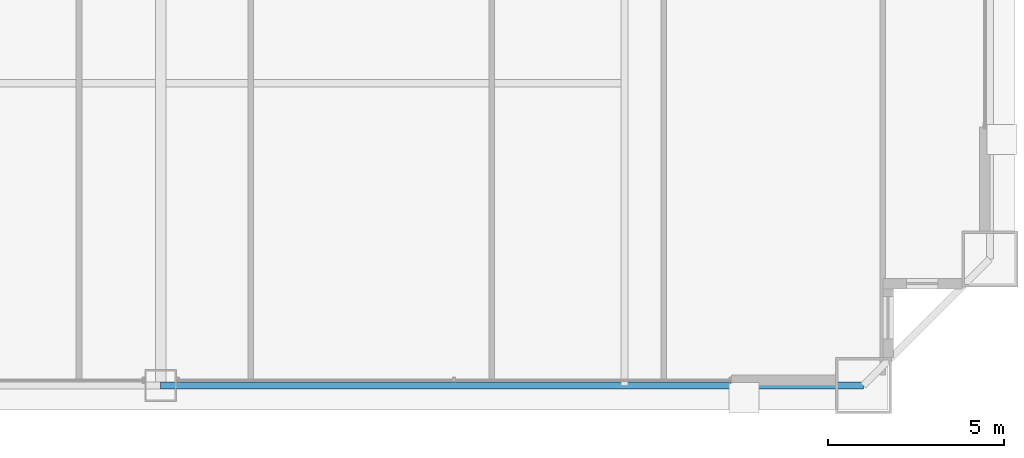
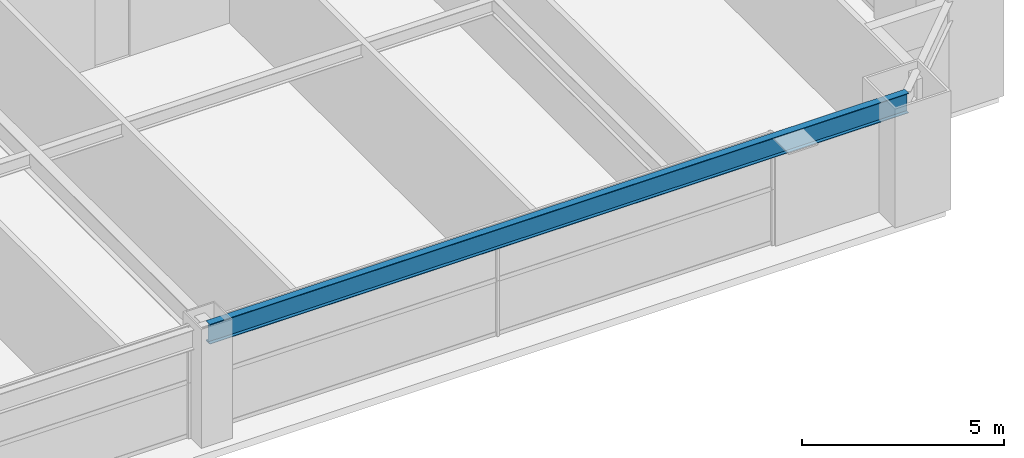
# One storey, part 15 of 39: 1 beam.
"""IFC4 building model written with IfcOpenShell, lengths in metres."""

from ifc_helpers import new_model, si_unit, direction, frame, origin, origin_2d, place, context, subcontext, project, spatial, i_section, extrude, source, transform, mapped, material, material_profile, profile_set, type_object, element, save


model = new_model("IFC4")

# Units and contexts
model_context = context("Model", 3, precision=1e-05, world=origin(), true_north=direction((0.0, 1.0)))
body_context = subcontext(model_context, "Body", "Model", "MODEL_VIEW")
ifc_project = project(units=[si_unit("LENGTHUNIT", "METRE"), si_unit("AREAUNIT", "SQUARE_METRE"), si_unit("VOLUMEUNIT", "CUBIC_METRE"), si_unit("PLANEANGLEUNIT", "RADIAN"), si_unit("MASSUNIT", "GRAM", prefix="KILO"), si_unit("THERMODYNAMICTEMPERATUREUNIT", "KELVIN"), si_unit("POWERUNIT", "WATT")], contexts=[model_context])

# Site, building, storey
site_placement = place(None, origin())
site = spatial("IfcSite", under=ifc_project, at=site_placement, CompositionType="ELEMENT")
building_placement = place(site_placement, origin())
building = spatial("IfcBuilding", under=site, at=building_placement, Name="Yuzanri Waterfront Tower", CompositionType="ELEMENT")
storey_placement = place(building_placement, frame((0.0, 0.0, 156.0)))
storey = spatial("IfcBuildingStorey", under=building, at=storey_placement, Name="L41", CompositionType="ELEMENT", Elevation=156.0)

# Beam
ifc_material = material(Name="Steel Q355B", Category="steel")
ifc_material_profile = material_profile(ifc_material, i_section(OverallWidth=0.199951171875, OverallDepth=0.60009765625, WebThickness=0.010986328125, FlangeThickness=0.01708984375, at=origin_2d()), Name="HN 600x200x11x17")
ifc_profile_set = profile_set([ifc_material_profile], Name="Steel Q355B")
beam_type = type_object("IfcBeamType", Name="Perimeter Spandrel Q355B HN 600x200", PredefinedType="SPANDREL", material=ifc_profile_set)
shared_shape = source(origin(), body_context, "Body", "SweptSolid", [
    extrude(i_section(OverallWidth=0.199951171875, OverallDepth=0.60009765625, WebThickness=0.010986328125, FlangeThickness=0.01708984375, at=origin_2d()), origin(), (0.0, 0.0, 1.0), 20.0),
])
beam_placement = place(storey_placement, frame((37.0, 2.199951171875, 3.080078125), z_axis=(1.0, 0.0, 0.0), x_axis=(0.0, 1.0, 0.0)))
element("IfcBeam", 1, at=beam_placement, inside=storey, type_object=beam_type, Name="L41 Perimeter Spandrel S2-S3", PredefinedType="SPANDREL", context=body_context, shape_type="MappedRepresentation", body=[
    mapped(shared_shape, transform((0.0, 0.0, 0.0), scale=1.0)),
])

save(model, "model.ifc")
